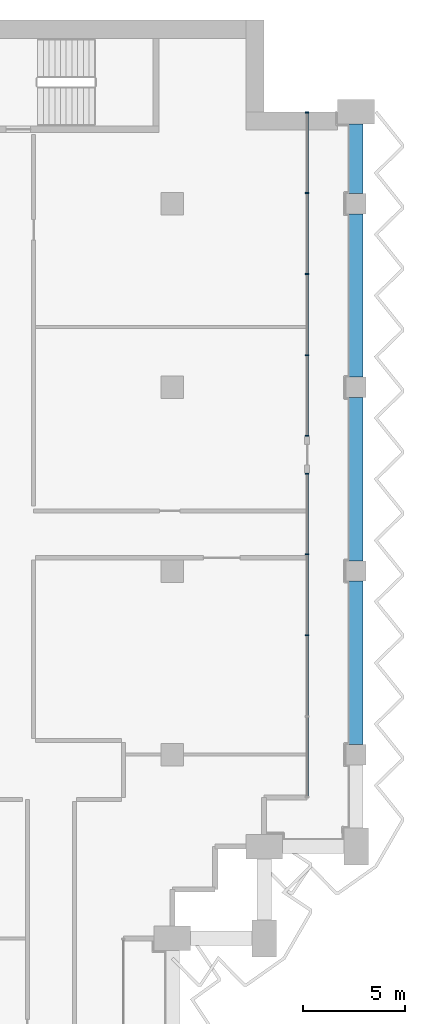
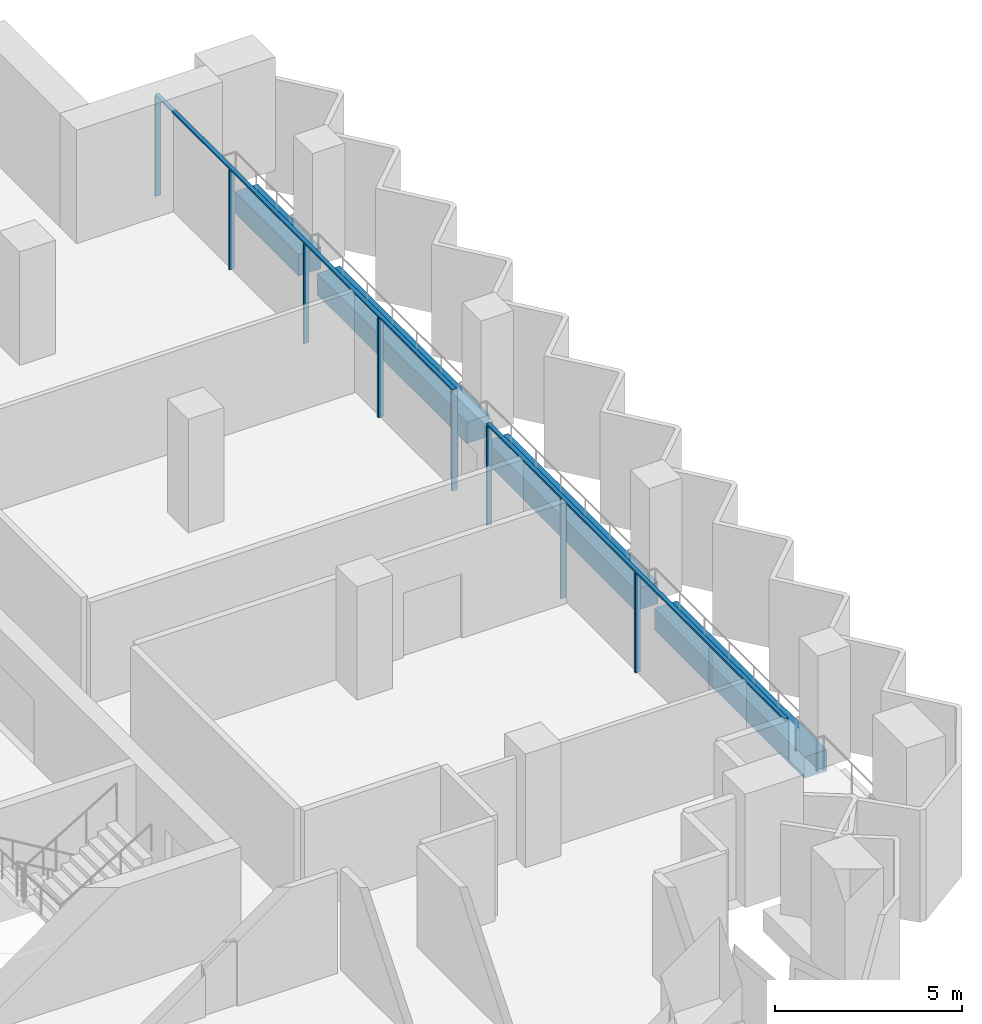
# One storey, part 6 of 19: 10 members, 4 beams, 2 elements without a shape of their own.
"""IFC4 building model written with IfcOpenShell, lengths in metres."""

from ifc_helpers import new_model, si_unit, direction, frame, origin, origin_2d, place, context, subcontext, project, spatial, rectangle, extrude, material, material_profile, profile_set, type_object, element, aggregate, save


model = new_model("IFC4")

# Units and contexts
model_context = context("Model", 3, precision=1e-05, world=origin(), true_north=direction((0.0, 1.0)))
body_context = subcontext(model_context, "Body", "Model", "MODEL_VIEW")
ifc_project = project(units=[si_unit("LENGTHUNIT", "METRE"), si_unit("AREAUNIT", "SQUARE_METRE"), si_unit("VOLUMEUNIT", "CUBIC_METRE"), si_unit("PLANEANGLEUNIT", "RADIAN"), si_unit("MASSUNIT", "GRAM", prefix="KILO")], contexts=[model_context])

# Site, building, storey
site_placement = place(None, origin())
site = spatial("IfcSite", under=ifc_project, at=site_placement, CompositionType="ELEMENT")
building_placement = place(site_placement, origin())
building = spatial("IfcBuilding", under=site, at=building_placement, Name="Hunhe Ridgeline Campus", CompositionType="ELEMENT")
storey_placement = place(building_placement, frame((0.0, 0.0, 219.800048828125)))
storey = spatial("IfcBuildingStorey", under=building, at=storey_placement, Name="L56", CompositionType="ELEMENT", Elevation=219.800048828125)

# Curtain wall, members
ifc_material_1 = material(Name="Aluminium 6063", Category="aluminium")
curtain_wall_type = type_object("IfcCurtainWallType", Name="Curtain wall CW-1", PredefinedType="NOTDEFINED", material=ifc_material_1)
curtain_wall_1_placement = place(storey_placement, origin())
curtain_wall_1 = element("IfcCurtainWall", 1, at=curtain_wall_1_placement, inside=storey, type_object=curtain_wall_type, Name="Curtain wall 12", PredefinedType="NOTDEFINED")
ifc_material_profile_1 = material_profile(ifc_material_1, rectangle(XDim=0.159912109375, YDim=0.06005859375, at=origin_2d()))
ifc_profile_set_1 = profile_set([ifc_material_profile_1], Name="Aluminium 6063")
member_type_1 = type_object("IfcMemberType", Name="CW-1 aluminium mullion", PredefinedType="MULLION", material=ifc_profile_set_1)
member_1_placement = place(storey_placement, frame((51.59912109375, 68.850830078125, 0.0), z_axis=(0.0, 0.0, 1.0), x_axis=(-1.0, 0.0, 0.0)))
member_1 = element("IfcMember", 2, at=member_1_placement, type_object=member_type_1, Name="CW-1 mullion 3", PredefinedType="MULLION", context=body_context, shape_type="SweptSolid", body=[
    extrude(rectangle(XDim=0.159912109375, YDim=0.06005859375, at=origin_2d()), origin(), (0.0, 0.0, 1.0), 3.239990234375),
])
member_2_placement = place(storey_placement, frame((51.59912109375, 72.82568359375, 0.0), z_axis=(0.0, 0.0, 1.0), x_axis=(-1.0, 0.0, 0.0)))
member_2 = element("IfcMember", 3, at=member_2_placement, type_object=member_type_1, Name="CW-1 mullion 4", PredefinedType="MULLION", context=body_context, shape_type="SweptSolid", body=[
    extrude(rectangle(XDim=0.159912109375, YDim=0.06005859375, at=origin_2d()), origin(), (0.0, 0.0, 1.0), 3.239990234375),
])
member_3_placement = place(storey_placement, frame((51.59912109375, 76.7705078125, 0.0), z_axis=(0.0, 0.0, 1.0), x_axis=(-1.0, 0.0, 0.0)))
member_3 = element("IfcMember", 4, at=member_3_placement, type_object=member_type_1, Name="CW-1 mullion 5", PredefinedType="MULLION", context=body_context, shape_type="SweptSolid", body=[
    extrude(rectangle(XDim=0.159912109375, YDim=0.06005859375, at=origin_2d()), origin(), (0.0, 0.0, 1.0), 3.239990234375),
])

curtain_wall_2_placement = place(storey_placement, origin())
curtain_wall_2 = element("IfcCurtainWall", 5, at=curtain_wall_2_placement, inside=storey, type_object=curtain_wall_type, Name="Curtain wall 13", PredefinedType="NOTDEFINED")
member_4_placement = place(storey_placement, frame((51.59912109375, 78.630615234375, 0.0), z_axis=(0.0, 0.0, 1.0), x_axis=(-1.0, 0.0, 0.0)))
member_4 = element("IfcMember", 6, at=member_4_placement, type_object=member_type_1, Name="CW-1 mullion 1", PredefinedType="MULLION", context=body_context, shape_type="SweptSolid", body=[
    extrude(rectangle(XDim=0.159912109375, YDim=0.06005859375, at=origin_2d()), origin(), (0.0, 0.0, 1.0), 3.239990234375),
])
member_5_placement = place(storey_placement, frame((51.59912109375, 82.575439453125, 0.0), z_axis=(0.0, 0.0, 1.0), x_axis=(-1.0, 0.0, 0.0)))
member_5 = element("IfcMember", 7, at=member_5_placement, type_object=member_type_1, Name="CW-1 mullion 2", PredefinedType="MULLION", context=body_context, shape_type="SweptSolid", body=[
    extrude(rectangle(XDim=0.159912109375, YDim=0.06005859375, at=origin_2d()), origin(), (0.0, 0.0, 1.0), 3.239990234375),
])
member_6_placement = place(storey_placement, frame((51.59912109375, 86.55029296875, 0.0), z_axis=(0.0, 0.0, 1.0), x_axis=(-1.0, 0.0, 0.0)))
member_6 = element("IfcMember", 8, at=member_6_placement, type_object=member_type_1, Name="CW-1 mullion 3", PredefinedType="MULLION", context=body_context, shape_type="SweptSolid", body=[
    extrude(rectangle(XDim=0.159912109375, YDim=0.06005859375, at=origin_2d()), origin(), (0.0, 0.0, 1.0), 3.239990234375),
])
member_7_placement = place(storey_placement, frame((51.59912109375, 90.525146484375, 0.0), z_axis=(0.0, 0.0, 1.0), x_axis=(-1.0, 0.0, 0.0)))
member_7 = element("IfcMember", 9, at=member_7_placement, type_object=member_type_1, Name="CW-1 mullion 4", PredefinedType="MULLION", context=body_context, shape_type="SweptSolid", body=[
    extrude(rectangle(XDim=0.159912109375, YDim=0.06005859375, at=origin_2d()), origin(), (0.0, 0.0, 1.0), 3.239990234375),
])
member_8_placement = place(storey_placement, frame((51.59912109375, 94.469970703125, 0.0), z_axis=(0.0, 0.0, 1.0), x_axis=(-1.0, 0.0, 0.0)))
member_8 = element("IfcMember", 10, at=member_8_placement, type_object=member_type_1, Name="CW-1 mullion 5", PredefinedType="MULLION", context=body_context, shape_type="SweptSolid", body=[
    extrude(rectangle(XDim=0.159912109375, YDim=0.06005859375, at=origin_2d()), origin(), (0.0, 0.0, 1.0), 3.239990234375),
])

# Member
ifc_material_profile_2 = material_profile(ifc_material_1, rectangle(XDim=0.1201171875, YDim=0.06005859375, at=origin_2d()))
ifc_profile_set_2 = profile_set([ifc_material_profile_2], Name="Aluminium 6063")
member_type_2 = type_object("IfcMemberType", Name="CW-1 aluminium transom", PredefinedType="USERDEFINED", material=ifc_profile_set_2)
member_9_placement = place(storey_placement, frame((51.59912109375, 60.90087890625, 3.27001953125), z_axis=(0.0, 1.0, 0.0), x_axis=(-1.0, 0.0, 0.0)))
member_9 = element("IfcMember", 11, at=member_9_placement, type_object=member_type_2, Name="CW-1 transom 1", ObjectType="TRANSOM", PredefinedType="USERDEFINED", context=body_context, shape_type="SweptSolid", body=[
    extrude(rectangle(XDim=0.1201171875, YDim=0.06005859375, at=origin_2d()), origin(), (0.0, 0.0, 1.0), 15.899658203125),
])

aggregate(curtain_wall_1, [member_9, member_1, member_2, member_3])

member_10_placement = place(storey_placement, frame((51.59912109375, 78.6005859375, 3.27001953125), z_axis=(0.0, 1.0, 0.0), x_axis=(-1.0, 0.0, 0.0)))
member_10 = element("IfcMember", 12, at=member_10_placement, type_object=member_type_2, Name="CW-1 transom 1", ObjectType="TRANSOM", PredefinedType="USERDEFINED", context=body_context, shape_type="SweptSolid", body=[
    extrude(rectangle(XDim=0.1201171875, YDim=0.06005859375, at=origin_2d()), origin(), (0.0, 0.0, 1.0), 15.8994140625),
])

aggregate(curtain_wall_2, [member_10, member_4, member_5, member_6, member_7, member_8])

# Beams
ifc_material_2 = material(Name="Concrete C50", Category="concrete")
ifc_material_profile_3 = material_profile(ifc_material_2, rectangle(XDim=0.699951171875, YDim=0.699951171875, at=origin_2d()))
ifc_profile_set_3 = profile_set([ifc_material_profile_3], Name="Concrete C50")
beam_type = type_object("IfcBeamType", Name="RC spandrel beam 700x700 Concrete C50", PredefinedType="SPANDREL", material=ifc_profile_set_3)
for number, where, z_axis, x_axis, name in (
    (13, (54.0, 63.5, -0.60009765625), (0.0, 1.0, 0.0), (-1.0, 0.0, 0.0), "Spandrel beam B3-15 L56"),
    (14, (54.0, 72.5, -0.60009765625), (0.0, 1.0, 0.0), (-1.0, 0.0, 0.0), "Spandrel beam B3-16 L56"),
    (15, (54.0, 81.5, -0.60009765625), (0.0, 1.0, 0.0), (-1.0, 0.0, 0.0), "Spandrel beam B3-17 L56"),
):
    element("IfcBeam", number, at=place(storey_placement, frame(where, z_axis=z_axis, x_axis=x_axis)), inside=storey, type_object=beam_type, Name=name, PredefinedType="SPANDREL", context=body_context, shape_type="SweptSolid", body=[
        extrude(rectangle(XDim=0.699951171875, YDim=0.699951171875, at=origin_2d()), origin(), (0.0, 0.0, 1.0), 8.0),
    ])
beam_placement = place(storey_placement, frame((54.0, 90.5, -0.60009765625), z_axis=(0.0, 1.0, 0.0), x_axis=(-1.0, 0.0, 0.0)))
element("IfcBeam", 16, at=beam_placement, inside=storey, type_object=beam_type, Name="Spandrel beam B3-18 L56", PredefinedType="SPANDREL", context=body_context, shape_type="SweptSolid", body=[
    extrude(rectangle(XDim=0.699951171875, YDim=0.699951171875, at=origin_2d()), origin(), (0.0, 0.0, 1.0), 3.39990234375),
])

save(model, "model.ifc")
